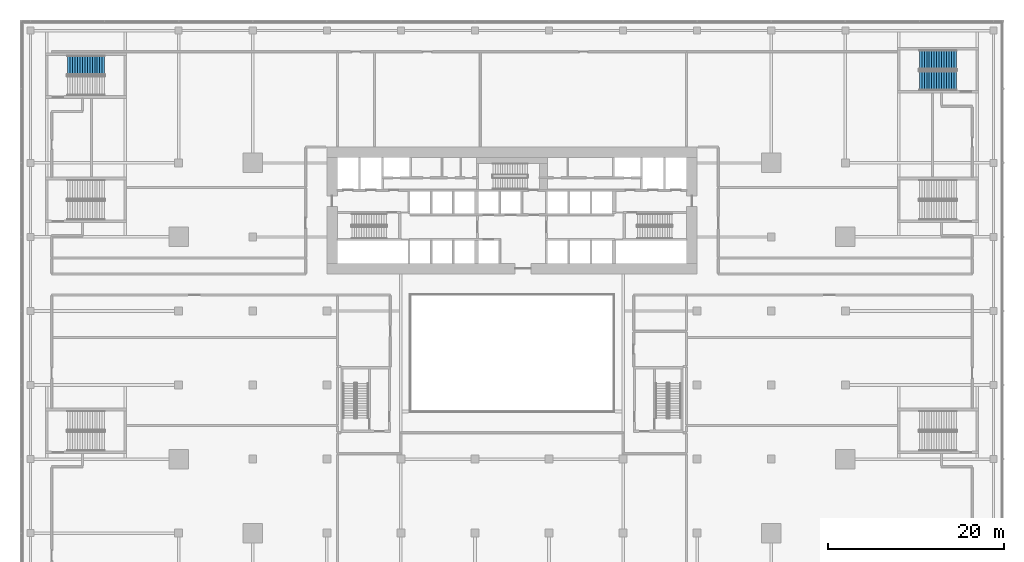
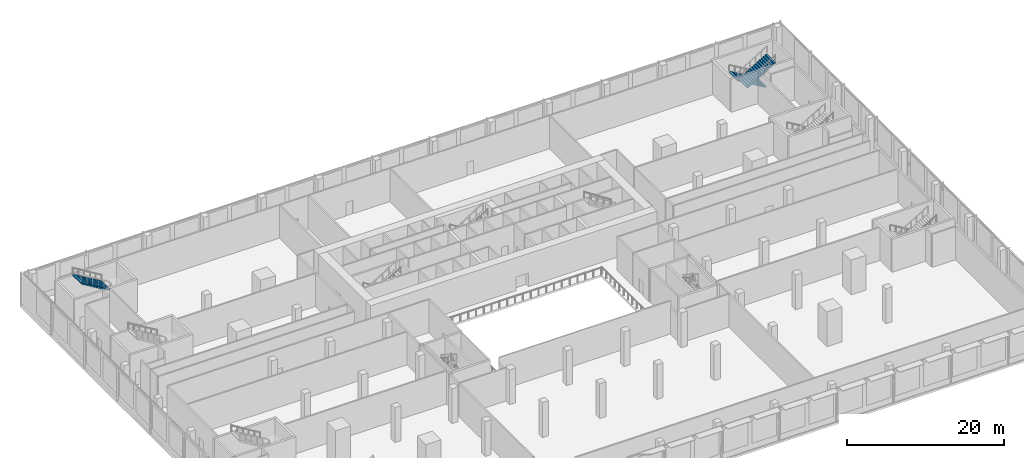
# One storey, part 36 of 39: 3 stair flights, 2 elements without a shape of their own.
"""IFC4 building model written with IfcOpenShell, lengths in metres."""

from ifc_helpers import new_model, si_unit, direction, frame, origin, place, context, subcontext, project, spatial, polyline, outline, extrude, material, type_object, element, aggregate, save


model = new_model("IFC4")

# Units and contexts
model_context = context("Model", 3, precision=1e-05, world=origin(), true_north=direction((0.0, 1.0)))
body_context = subcontext(model_context, "Body", "Model", "MODEL_VIEW")
ifc_project = project(units=[si_unit("LENGTHUNIT", "METRE"), si_unit("AREAUNIT", "SQUARE_METRE"), si_unit("VOLUMEUNIT", "CUBIC_METRE"), si_unit("PLANEANGLEUNIT", "RADIAN"), si_unit("MASSUNIT", "GRAM", prefix="KILO")], contexts=[model_context])

# Site, building, storey
site_placement = place(None, origin())
site = spatial("IfcSite", under=ifc_project, at=site_placement, CompositionType="ELEMENT")
building_placement = place(site_placement, origin())
building = spatial("IfcBuilding", under=site, at=building_placement, Name="Saffron Gate Tower", CompositionType="ELEMENT")
storey_placement = place(building_placement, frame((0.0, 0.0, 9.0)))
storey = spatial("IfcBuildingStorey", under=building, at=storey_placement, Name="L01", CompositionType="ELEMENT", Elevation=9.0)

# Stair, stair flight
ifc_material = material(Name="Concrete C40", Category="concrete")
stair_type = type_object("IfcStairType", Name="ST10 Stair 2200 wide, 32 risers of 169", PredefinedType="HALF_TURN_STAIR", material=ifc_material)
stair_1_placement = place(storey_placement, origin())
stair_1 = element("IfcStair", 1, at=stair_1_placement, inside=storey, type_object=stair_type, Name="L01 Exit stair F", PredefinedType="HALF_TURN_STAIR")
stair_flight_type = type_object("IfcStairFlightType", Name="SF6 Stair flight 2200 wide, riser 169 going 280", PredefinedType="STRAIGHT", material=ifc_material)
stair_flight_1_placement = place(storey_placement, frame((41.39990234375, 84.875, 2.699951171875), z_axis=(0.0, 0.0, 1.0), x_axis=(-1.0, 0.0, 0.0)))
stair_flight_1 = element("IfcStairFlight", 2, at=stair_flight_1_placement, type_object=stair_flight_type, Name="ST-F flight 2", NumberOfRisers=16, NumberOfTreads=15, PredefinedType="STRAIGHT", RiserHeight=0.16875, TreadLength=0.28, context=body_context, shape_type="SweptSolid", body=[
    extrude(outline(polyline([(0.0, 0.0), (0.0, 0.168701171875), (0.280029296875, 0.168701171875), (0.280029296875, 0.33740234375), (0.56005859375, 0.33740234375), (0.56005859375, 0.50634765625), (0.840087890625, 0.50634765625), (0.840087890625, 0.675048828125), (1.1201171875, 0.675048828125), (1.1201171875, 0.84375), (1.39990234375, 0.84375), (1.39990234375, 1.012451171875), (1.679931640625, 1.012451171875), (1.679931640625, 1.18115234375), (1.9599609375, 1.18115234375), (1.9599609375, 1.35009765625), (2.239990234375, 1.35009765625), (2.239990234375, 1.518798828125), (2.52001953125, 1.518798828125), (2.52001953125, 1.6875), (2.800048828125, 1.6875), (2.800048828125, 1.856201171875), (3.080078125, 1.856201171875), (3.080078125, 2.02490234375), (3.360107421875, 2.02490234375), (3.360107421875, 2.19384765625), (3.639892578125, 2.19384765625), (3.639892578125, 2.362548828125), (3.919921875, 2.362548828125), (3.919921875, 2.53125), (4.199951171875, 2.53125), (4.199951171875, 2.699951171875), (4.199951171875, 2.356201171875), (0.29052734375, 0.0), (0.0, 0.0)])), frame((0.0, 1.10009765625, 0.0), z_axis=(0.0, -1.0, 0.0), x_axis=(1.0, 0.0, 0.0)), (0.0, 0.0, 1.0), 2.199951171875),
])
aggregate(stair_1, [stair_flight_1])

# Stair, stair flights
stair_2_placement = place(storey_placement, origin())
stair_2 = element("IfcStair", 3, at=stair_2_placement, inside=storey, type_object=stair_type, Name="L01 Exit stair I", PredefinedType="HALF_TURN_STAIR")
stair_flight_2_placement = place(storey_placement, frame((138.0, 85.47509765625, 0.0), z_axis=(0.0, 0.0, 1.0), x_axis=(-1.0, 0.0, 0.0)))
stair_flight_2 = element("IfcStairFlight", 4, at=stair_flight_2_placement, type_object=stair_flight_type, Name="ST-I flight 1", NumberOfRisers=16, NumberOfTreads=15, PredefinedType="STRAIGHT", RiserHeight=0.16875, TreadLength=0.28, context=body_context, shape_type="SweptSolid", body=[
    extrude(outline(polyline([(0.0, 0.0), (0.0, 0.168701171875), (0.280029296875, 0.168701171875), (0.280029296875, 0.33740234375), (0.56005859375, 0.33740234375), (0.56005859375, 0.50634765625), (0.840087890625, 0.50634765625), (0.840087890625, 0.675048828125), (1.1201171875, 0.675048828125), (1.1201171875, 0.84375), (1.39990234375, 0.84375), (1.39990234375, 1.012451171875), (1.679931640625, 1.012451171875), (1.679931640625, 1.18115234375), (1.9599609375, 1.18115234375), (1.9599609375, 1.35009765625), (2.239990234375, 1.35009765625), (2.239990234375, 1.518798828125), (2.52001953125, 1.518798828125), (2.52001953125, 1.6875), (2.800048828125, 1.6875), (2.800048828125, 1.856201171875), (3.080078125, 1.856201171875), (3.080078125, 2.02490234375), (3.360107421875, 2.02490234375), (3.360107421875, 2.19384765625), (3.639892578125, 2.19384765625), (3.639892578125, 2.362548828125), (3.919921875, 2.362548828125), (3.919921875, 2.53125), (4.199951171875, 2.53125), (4.199951171875, 2.699951171875), (4.199951171875, 2.356201171875), (0.29052734375, 0.0), (0.0, 0.0)])), frame((0.0, 1.10009765625, 0.0), z_axis=(0.0, -1.0, 0.0), x_axis=(1.0, 0.0, 0.0)), (0.0, 0.0, 1.0), 2.199951171875),
])
stair_flight_3_placement = place(storey_placement, frame((133.800048828125, 83.125, 2.699951171875), z_axis=(0.0, 0.0, 1.0), x_axis=(1.0, 0.0, 0.0)))
stair_flight_3 = element("IfcStairFlight", 5, at=stair_flight_3_placement, type_object=stair_flight_type, Name="ST-I flight 2", NumberOfRisers=16, NumberOfTreads=15, PredefinedType="STRAIGHT", RiserHeight=0.16875, TreadLength=0.28, context=body_context, shape_type="SweptSolid", body=[
    extrude(outline(polyline([(0.0, 0.0), (0.0, 0.168701171875), (0.280029296875, 0.168701171875), (0.280029296875, 0.33740234375), (0.56005859375, 0.33740234375), (0.56005859375, 0.50634765625), (0.840087890625, 0.50634765625), (0.840087890625, 0.675048828125), (1.1201171875, 0.675048828125), (1.1201171875, 0.84375), (1.39990234375, 0.84375), (1.39990234375, 1.012451171875), (1.679931640625, 1.012451171875), (1.679931640625, 1.18115234375), (1.9599609375, 1.18115234375), (1.9599609375, 1.35009765625), (2.239990234375, 1.35009765625), (2.239990234375, 1.518798828125), (2.52001953125, 1.518798828125), (2.52001953125, 1.6875), (2.800048828125, 1.6875), (2.800048828125, 1.856201171875), (3.080078125, 1.856201171875), (3.080078125, 2.02490234375), (3.360107421875, 2.02490234375), (3.360107421875, 2.19384765625), (3.639892578125, 2.19384765625), (3.639892578125, 2.362548828125), (3.919921875, 2.362548828125), (3.919921875, 2.53125), (4.199951171875, 2.53125), (4.199951171875, 2.699951171875), (4.199951171875, 2.356201171875), (0.29052734375, 0.0), (0.0, 0.0)])), frame((0.0, 1.10009765625, 0.0), z_axis=(0.0, -1.0, 0.0), x_axis=(1.0, 0.0, 0.0)), (0.0, 0.0, 1.0), 2.199951171875),
])
aggregate(stair_2, [stair_flight_2, stair_flight_3])

save(model, "model.ifc")
